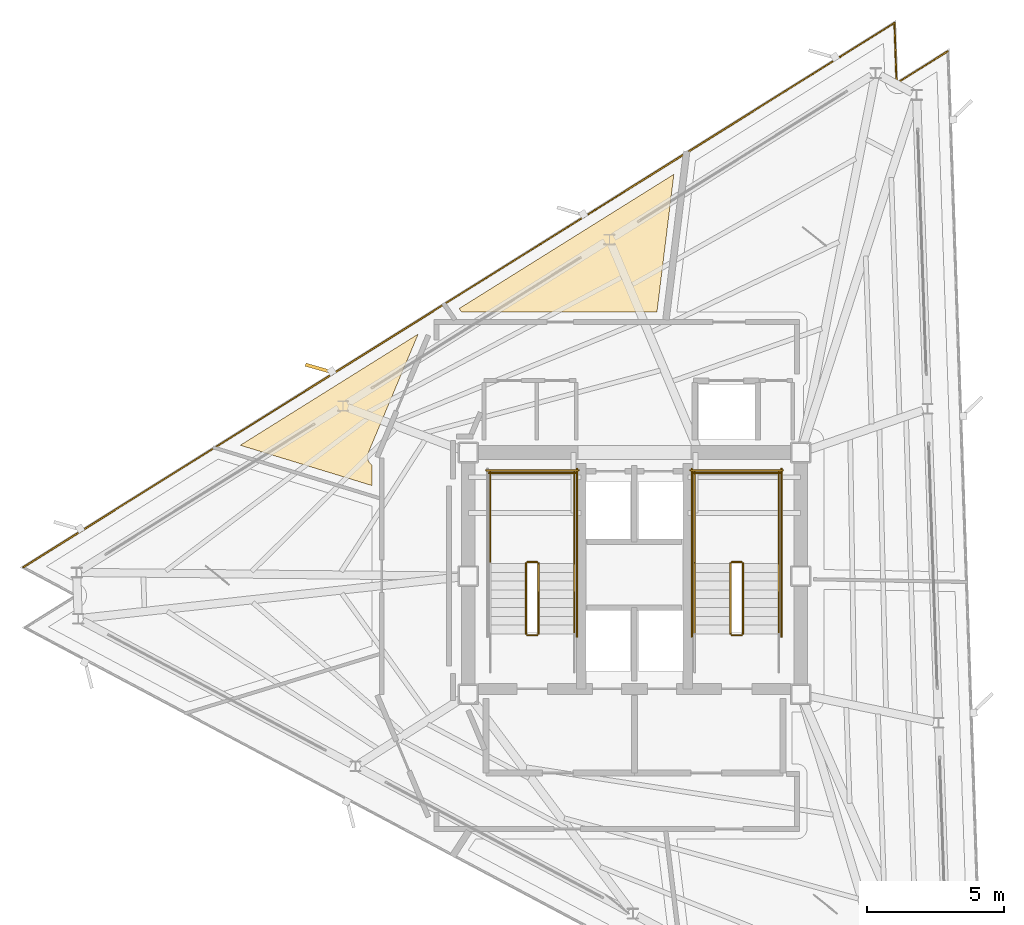
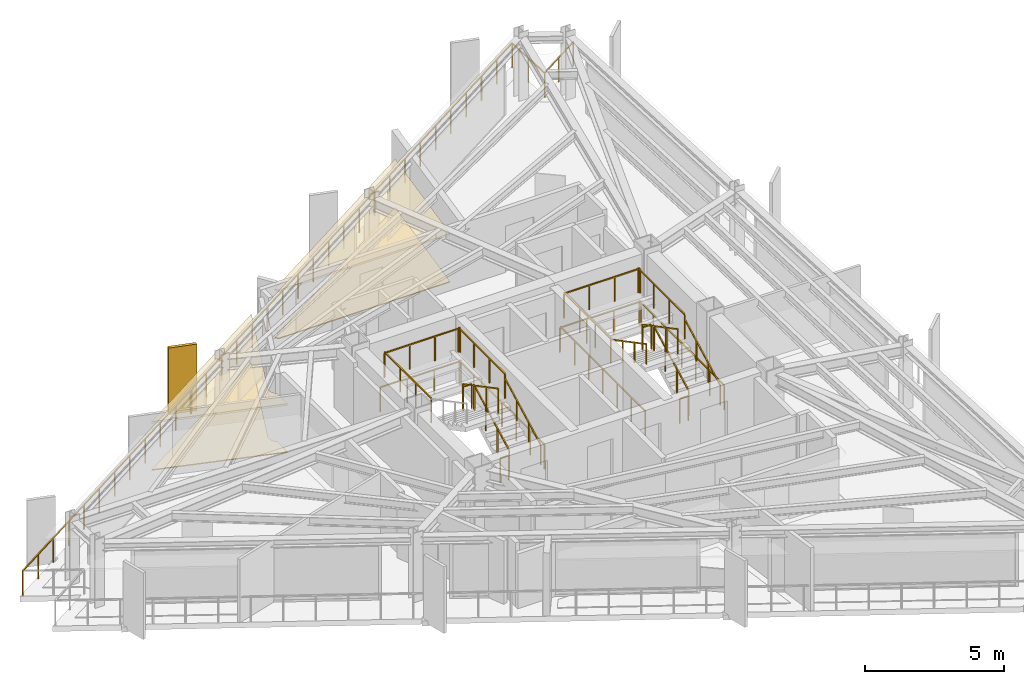
# One storey, part 12 of 13: 23 railings, 4 coverings, 1 shading device.
"""IFC4 building model written with IfcOpenShell, lengths in metres."""

from ifc_helpers import new_model, si_unit, direction, frame, origin, origin_2d, place, context, subcontext, project, spatial, polyline, rectangle, outline, extrude, material, layer, layer_set, type_object, element, save


model = new_model("IFC4")

# Units and contexts
model_context = context("Model", 3, precision=1e-05, world=origin(), true_north=direction((0.0, 1.0)))
body_context = subcontext(model_context, "Body", "Model", "MODEL_VIEW")
ifc_project = project(units=[si_unit("LENGTHUNIT", "METRE"), si_unit("AREAUNIT", "SQUARE_METRE"), si_unit("VOLUMEUNIT", "CUBIC_METRE"), si_unit("PLANEANGLEUNIT", "RADIAN"), si_unit("MASSUNIT", "GRAM", prefix="KILO")], contexts=[model_context])

# Site, building, storey
site_placement = place(None, origin())
site = spatial("IfcSite", under=ifc_project, at=site_placement, CompositionType="ELEMENT")
building_placement = place(site_placement, origin())
building = spatial("IfcBuilding", under=site, at=building_placement, Name="Rocaltana Carrier Exchange", CompositionType="ELEMENT")
storey_placement = place(building_placement, frame((0.0, 0.0, 208.800048828125)))
storey = spatial("IfcBuildingStorey", under=building, at=storey_placement, Name="L66", CompositionType="ELEMENT", Elevation=208.800048828125)

# Coverings
ifc_material_1 = material(Name="Honed Bogota Sandstone Tile", Category="masonry")
ifc_layer_1 = layer(ifc_material_1, 0.0400390625)
ifc_layer_set_1 = layer_set([ifc_layer_1], Name="Honed Bogota Sandstone Tile")
covering_type_1 = type_object("IfcCoveringType", Name="Honed Stone Lobby Flooring 40", PredefinedType="FLOORING", material=ifc_layer_set_1)
covering_1_placement = place(storey_placement, origin())
element("IfcCovering", 1, at=covering_1_placement, inside=storey, type_object=covering_type_1, Name="L66 Peering Conference Room Finish Floor", PredefinedType="FLOORING", context=body_context, shape_type="SweptSolid", body=[
    extrude(outline(polyline([(1.43310546875, 14.626220703125), (0.8173828125, 9.610107421875), (-6.28955078125, 9.610107421875), (-6.38232421875, 9.74267578125), (1.43310546875, 14.626220703125)])), origin(), (0.0, 0.0, 1.0), 0.0400390625),
])
covering_2_placement = place(storey_placement, origin())
element("IfcCovering", 2, at=covering_2_placement, inside=storey, type_object=covering_type_1, Name="L66 Carrier Peering Suite Finish Floor", PredefinedType="FLOORING", context=body_context, shape_type="SweptSolid", body=[
    extrude(outline(polyline([(-9.56005859375, 4.052001953125), (-9.56005859375, 3.29931640625), (-14.35009765625, 4.763916015625), (-7.874267578125, 8.810302734375), (-9.69091796875, 4.489990234375), (-9.69580078125, 4.47705078125), (-9.698486328125, 4.4697265625), (-9.706787109375, 4.443603515625), (-9.70849609375, 4.435791015625), (-9.714111328125, 4.408935546875), (-9.71533203125, 4.401123046875), (-9.71826171875, 4.373779296875), (-9.718505859375, 4.365966796875), (-9.71875, 4.33837890625), (-9.718505859375, 4.330810546875), (-9.7158203125, 4.30322265625), (-9.714599609375, 4.295654296875), (-9.70947265625, 4.2685546875), (-9.70751953125, 4.260986328125), (-9.69970703125, 4.234619140625), (-9.697265625, 4.227294921875), (-9.686767578125, 4.201904296875), (-9.68359375, 4.194580078125), (-9.670654296875, 4.17041015625), (-9.666748046875, 4.16357421875), (-9.651611328125, 4.140625), (-9.64697265625, 4.134521484375), (-9.629638671875, 4.113037109375), (-9.624267578125, 4.107177734375), (-9.60498046875, 4.087646484375), (-9.59912109375, 4.082275390625), (-9.578125, 4.064697265625), (-9.57177734375, 4.06005859375), (-9.56005859375, 4.052001953125)])), origin(), (0.0, 0.0, 1.0), 0.0400390625),
])
ifc_material_2 = material(Name="Anodised Aluminium 6063-T6", Category="aluminium")
ifc_layer_2 = layer(ifc_material_2, 0.0849609375)
ifc_layer_set_2 = layer_set([ifc_layer_2], Name="Anodised Aluminium 6063-T6")
covering_type_2 = type_object("IfcCoveringType", Name="Linear Baffle Acoustic Ceiling 85", PredefinedType="CEILING", material=ifc_layer_set_2)
covering_3_placement = place(storey_placement, frame((0.0, 0.0, 2.06298828125)))
element("IfcCovering", 3, at=covering_3_placement, inside=storey, type_object=covering_type_2, Name="L66 Peering Conference Room Acoustic Ceiling", PredefinedType="CEILING", context=body_context, shape_type="SweptSolid", body=[
    extrude(outline(polyline([(1.43310546875, 14.626220703125), (0.8173828125, 9.610107421875), (-6.28955078125, 9.610107421875), (-6.38232421875, 9.74267578125), (1.43310546875, 14.626220703125)])), origin(), (0.0, 0.0, 1.0), 0.0849609375),
])
covering_4_placement = place(storey_placement, frame((0.0, 0.0, 2.06298828125)))
element("IfcCovering", 4, at=covering_4_placement, inside=storey, type_object=covering_type_2, Name="L66 Carrier Peering Suite Acoustic Ceiling", PredefinedType="CEILING", context=body_context, shape_type="SweptSolid", body=[
    extrude(outline(polyline([(-9.56005859375, 4.052001953125), (-9.56005859375, 3.29931640625), (-14.35009765625, 4.763916015625), (-7.874267578125, 8.810302734375), (-9.69091796875, 4.489990234375), (-9.69580078125, 4.47705078125), (-9.698486328125, 4.4697265625), (-9.706787109375, 4.443603515625), (-9.70849609375, 4.435791015625), (-9.714111328125, 4.408935546875), (-9.71533203125, 4.401123046875), (-9.71826171875, 4.373779296875), (-9.718505859375, 4.365966796875), (-9.71875, 4.33837890625), (-9.718505859375, 4.330810546875), (-9.7158203125, 4.30322265625), (-9.714599609375, 4.295654296875), (-9.70947265625, 4.2685546875), (-9.70751953125, 4.260986328125), (-9.69970703125, 4.234619140625), (-9.697265625, 4.227294921875), (-9.686767578125, 4.201904296875), (-9.68359375, 4.194580078125), (-9.670654296875, 4.17041015625), (-9.666748046875, 4.16357421875), (-9.651611328125, 4.140625), (-9.64697265625, 4.134521484375), (-9.629638671875, 4.113037109375), (-9.624267578125, 4.107177734375), (-9.60498046875, 4.087646484375), (-9.59912109375, 4.082275390625), (-9.578125, 4.064697265625), (-9.57177734375, 4.06005859375), (-9.56005859375, 4.052001953125)])), origin(), (0.0, 0.0, 1.0), 0.0849609375),
])

# Railings
ifc_material_3 = material(Name="Brushed Architectural Stainless Tube", Category="steel")
ifc_layer_3 = layer(ifc_material_3, 0.048095703125)
ifc_layer_set_3 = layer_set([ifc_layer_3], Name="Brushed Architectural Stainless Tube")
railing_type_1 = type_object("IfcRailingType", Name="Stair Wall Handrail 920", PredefinedType="HANDRAIL", material=ifc_layer_set_3)
for number, where, name in (
    (5, (-2.18994140625, -2.10009765625, 0.1689453125), "L66 ST-1 stair handrail 1"),
    (6, (5.25, -2.10009765625, 0.1689453125), "L66 ST-2 stair handrail 1"),
):
    element("IfcRailing", number, at=place(storey_placement, frame(where)), inside=storey, type_object=railing_type_1, Name=name, PredefinedType="HANDRAIL", context=body_context, shape_type="SweptSolid", body=[
        extrude(rectangle(XDim=0.048095703125, YDim=0.048095703125, at=origin_2d()), frame((0.0, 0.0, 0.8759765625), z_axis=(0.0, 0.884394423565, 0.466740295633), x_axis=(-1.0, 0.0, 0.0)), (0.0, 0.0, 1.0), 2.894775390625),
        extrude(rectangle(XDim=0.0419921875, YDim=0.0419921875, at=origin_2d()), origin(), (0.0, 0.0, 1.0), 0.851806640625),
        extrude(rectangle(XDim=0.0419921875, YDim=0.0419921875, at=origin_2d()), frame((0.0, 0.853271484375, 0.450439453125)), (0.0, 0.0, 1.0), 0.851806640625),
        extrude(rectangle(XDim=0.0419921875, YDim=0.0419921875, at=origin_2d()), frame((0.0, 1.706787109375, 0.900634765625)), (0.0, 0.0, 1.0), 0.851806640625),
        extrude(rectangle(XDim=0.0419921875, YDim=0.0419921875, at=origin_2d()), frame((0.0, 2.56005859375, 1.35107421875)), (0.0, 0.0, 1.0), 0.851806640625),
    ])
railing_1_placement = place(storey_placement, frame((2.18994140625, 0.4599609375, 1.688720703125)))
element("IfcRailing", 7, at=railing_1_placement, inside=storey, type_object=railing_type_1, Name="L66 ST-2 stair handrail 2", PredefinedType="HANDRAIL", context=body_context, shape_type="SweptSolid", body=[
    extrude(rectangle(XDim=0.048095703125, YDim=0.048095703125, at=origin_2d()), frame((0.0, 0.0, 0.8759765625), z_axis=(0.0, -0.884359608194, 0.46680625895), x_axis=(1.0, 0.0, 0.0)), (0.0, 0.0, 1.0), 2.894775390625),
    extrude(rectangle(XDim=0.0419921875, YDim=0.0419921875, at=origin_2d()), origin(), (0.0, 0.0, 1.0), 0.851806640625),
    extrude(rectangle(XDim=0.0419921875, YDim=0.0419921875, at=origin_2d()), frame((0.0, -0.853271484375, 0.450439453125)), (0.0, 0.0, 1.0), 0.851806640625),
    extrude(rectangle(XDim=0.0419921875, YDim=0.0419921875, at=origin_2d()), frame((0.0, -1.706787109375, 0.90087890625)), (0.0, 0.0, 1.0), 0.851806640625),
    extrude(rectangle(XDim=0.0419921875, YDim=0.0419921875, at=origin_2d()), frame((0.0, -2.56005859375, 1.351318359375)), (0.0, 0.0, 1.0), 0.851806640625),
])
ifc_material_4 = material(Name="Powder-Coated Aluminium 6063-T6", Category="aluminium")
ifc_layer_4 = layer(ifc_material_4, 0.048095703125)
ifc_layer_set_4 = layer_set([ifc_layer_4], Name="Powder-Coated Aluminium 6063-T6")
railing_type_2 = type_object("IfcRailingType", Name="Stair Well Guardrail 1100", PredefinedType="GUARDRAIL", material=ifc_layer_set_4)
railing_2_placement = place(storey_placement, frame((-3.489990234375, -2.10009765625, 0.1689453125)))
element("IfcRailing", 8, at=railing_2_placement, inside=storey, type_object=railing_type_2, Name="L66 ST-1 stair guard 1", PredefinedType="GUARDRAIL", context=body_context, shape_type="SweptSolid", body=[
    extrude(rectangle(XDim=0.048095703125, YDim=0.048095703125, at=origin_2d()), frame((0.0, 0.0, 1.076171875), z_axis=(0.0, 0.884394423565, 0.466740295633), x_axis=(-1.0, 0.0, 0.0)), (0.0, 0.0, 1.0), 2.894775390625),
    extrude(rectangle(XDim=0.0419921875, YDim=0.0419921875, at=origin_2d()), origin(), (0.0, 0.0, 1.0), 1.052001953125),
    extrude(rectangle(XDim=0.0419921875, YDim=0.0419921875, at=origin_2d()), frame((0.0, 0.853271484375, 0.450439453125)), (0.0, 0.0, 1.0), 1.052001953125),
    extrude(rectangle(XDim=0.0419921875, YDim=0.0419921875, at=origin_2d()), frame((0.0, 1.706787109375, 0.900634765625)), (0.0, 0.0, 1.0), 1.052001953125),
    extrude(rectangle(XDim=0.0419921875, YDim=0.0419921875, at=origin_2d()), frame((0.0, 2.56005859375, 1.35107421875)), (0.0, 0.0, 1.0), 1.052001953125),
])
railing_3_placement = place(storey_placement, frame((-3.5400390625, 0.510009765625, 1.52001953125)))
element("IfcRailing", 9, at=railing_3_placement, inside=storey, type_object=railing_type_2, Name="L66 ST-1 stair guard 2", PredefinedType="GUARDRAIL", context=body_context, shape_type="SweptSolid", body=[
    extrude(rectangle(XDim=0.048095703125, YDim=0.048095703125, at=origin_2d()), frame((0.0, 0.0, 1.076171875), z_axis=(-1.0, 0.0, 0.0), x_axis=(0.0, -1.0, 0.0)), (0.0, 0.0, 1.0), 0.35986328125),
    extrude(rectangle(XDim=0.0419921875, YDim=0.0419921875, at=origin_2d()), origin(), (0.0, 0.0, 1.0), 1.052001953125),
    extrude(rectangle(XDim=0.0419921875, YDim=0.0419921875, at=origin_2d()), frame((-0.35986328125, 0.0, 0.0)), (0.0, 0.0, 1.0), 1.052001953125),
])
for number, where, name in (
    (10, (-2.18994140625, 0.4599609375, 1.52001953125), "L66 ST-1 stair guard 3"),
    (11, (-5.25, 0.4599609375, 1.52001953125), "L66 ST-1 stair guard 4"),
):
    element("IfcRailing", number, at=place(storey_placement, frame(where)), inside=storey, type_object=railing_type_2, Name=name, PredefinedType="GUARDRAIL", context=body_context, shape_type="SweptSolid", body=[
        extrude(rectangle(XDim=0.048095703125, YDim=0.048095703125, at=origin_2d()), frame((0.0, 0.0, 1.076171875), z_axis=(0.0, 1.0, 0.0), x_axis=(-1.0, 0.0, 0.0)), (0.0, 0.0, 1.0), 3.340087890625),
        extrude(rectangle(XDim=0.0419921875, YDim=0.0419921875, at=origin_2d()), origin(), (0.0, 0.0, 1.0), 1.052001953125),
        extrude(rectangle(XDim=0.0419921875, YDim=0.0419921875, at=origin_2d()), frame((0.0, 1.11328125, 0.0)), (0.0, 0.0, 1.0), 1.052001953125),
        extrude(rectangle(XDim=0.0419921875, YDim=0.0419921875, at=origin_2d()), frame((0.0, 2.226806640625, 0.0)), (0.0, 0.0, 1.0), 1.052001953125),
        extrude(rectangle(XDim=0.0419921875, YDim=0.0419921875, at=origin_2d()), frame((0.0, 3.340087890625, 0.0)), (0.0, 0.0, 1.0), 1.052001953125),
    ])
railing_4_placement = place(storey_placement, frame((-2.139892578125, 3.75, 1.52001953125)))
element("IfcRailing", 12, at=railing_4_placement, inside=storey, type_object=railing_type_2, Name="L66 ST-1 stair guard 5", PredefinedType="GUARDRAIL", context=body_context, shape_type="SweptSolid", body=[
    extrude(rectangle(XDim=0.048095703125, YDim=0.048095703125, at=origin_2d()), frame((0.0, 0.0, 1.076171875), z_axis=(-1.0, 0.0, 0.0), x_axis=(0.0, -1.0, 0.0)), (0.0, 0.0, 1.0), 3.16015625),
    extrude(rectangle(XDim=0.0419921875, YDim=0.0419921875, at=origin_2d()), origin(), (0.0, 0.0, 1.0), 1.052001953125),
    extrude(rectangle(XDim=0.0419921875, YDim=0.0419921875, at=origin_2d()), frame((-1.053466796875, 0.0, 0.0)), (0.0, 0.0, 1.0), 1.052001953125),
    extrude(rectangle(XDim=0.0419921875, YDim=0.0419921875, at=origin_2d()), frame((-2.106689453125, 0.0, 0.0)), (0.0, 0.0, 1.0), 1.052001953125),
    extrude(rectangle(XDim=0.0419921875, YDim=0.0419921875, at=origin_2d()), frame((-3.16015625, 0.0, 0.0)), (0.0, 0.0, 1.0), 1.052001953125),
])
railing_5_placement = place(storey_placement, frame((-3.949951171875, 0.4599609375, 1.688720703125)))
element("IfcRailing", 13, at=railing_5_placement, inside=storey, type_object=railing_type_2, Name="L66 ST-1 stair guard 6", PredefinedType="GUARDRAIL", context=body_context, shape_type="SweptSolid", body=[
    extrude(rectangle(XDim=0.048095703125, YDim=0.048095703125, at=origin_2d()), frame((0.0, 0.0, 1.076171875), z_axis=(0.0, -0.884359608194, 0.46680625895), x_axis=(1.0, 0.0, 0.0)), (0.0, 0.0, 1.0), 2.894775390625),
    extrude(rectangle(XDim=0.0419921875, YDim=0.0419921875, at=origin_2d()), origin(), (0.0, 0.0, 1.0), 1.052001953125),
    extrude(rectangle(XDim=0.0419921875, YDim=0.0419921875, at=origin_2d()), frame((0.0, -0.853271484375, 0.450439453125)), (0.0, 0.0, 1.0), 1.052001953125),
    extrude(rectangle(XDim=0.0419921875, YDim=0.0419921875, at=origin_2d()), frame((0.0, -1.706787109375, 0.90087890625)), (0.0, 0.0, 1.0), 1.052001953125),
    extrude(rectangle(XDim=0.0419921875, YDim=0.0419921875, at=origin_2d()), frame((0.0, -2.56005859375, 1.351318359375)), (0.0, 0.0, 1.0), 1.052001953125),
])
railing_6_placement = place(storey_placement, frame((-3.5400390625, -2.14990234375, 0.0)))
element("IfcRailing", 14, at=railing_6_placement, inside=storey, type_object=railing_type_2, Name="L66 ST-1 stair guard 7", PredefinedType="GUARDRAIL", context=body_context, shape_type="SweptSolid", body=[
    extrude(rectangle(XDim=0.048095703125, YDim=0.048095703125, at=origin_2d()), frame((0.0, 0.0, 1.076171875), z_axis=(-1.0, 0.0, 0.0), x_axis=(0.0, -1.0, 0.0)), (0.0, 0.0, 1.0), 0.35986328125),
    extrude(rectangle(XDim=0.0419921875, YDim=0.0419921875, at=origin_2d()), origin(), (0.0, 0.0, 1.0), 1.052001953125),
    extrude(rectangle(XDim=0.0419921875, YDim=0.0419921875, at=origin_2d()), frame((-0.35986328125, 0.0, 0.0)), (0.0, 0.0, 1.0), 1.052001953125),
])
railing_7_placement = place(storey_placement, frame((-2.090087890625, -2.199951171875, 0.0)))
element("IfcRailing", 15, at=railing_7_placement, inside=storey, type_object=railing_type_2, Name="L66 ST-1 stair guard 10", PredefinedType="GUARDRAIL", context=body_context, shape_type="SweptSolid", body=[
    extrude(rectangle(XDim=0.048095703125, YDim=0.048095703125, at=origin_2d()), frame((0.0, 0.0, 1.076171875), z_axis=(0.0, 1.0, 0.0), x_axis=(-1.0, 0.0, 0.0)), (0.0, 0.0, 1.0), 6.099853515625),
    extrude(rectangle(XDim=0.0419921875, YDim=0.0419921875, at=origin_2d()), origin(), (0.0, 0.0, 1.0), 1.052001953125),
    extrude(rectangle(XDim=0.0419921875, YDim=0.0419921875, at=origin_2d()), frame((0.0, 1.0166015625, 0.0)), (0.0, 0.0, 1.0), 1.052001953125),
    extrude(rectangle(XDim=0.0419921875, YDim=0.0419921875, at=origin_2d()), frame((0.0, 2.033203125, 0.0)), (0.0, 0.0, 1.0), 1.052001953125),
    extrude(rectangle(XDim=0.0419921875, YDim=0.0419921875, at=origin_2d()), frame((0.0, 3.0498046875, 0.0)), (0.0, 0.0, 1.0), 1.052001953125),
    extrude(rectangle(XDim=0.0419921875, YDim=0.0419921875, at=origin_2d()), frame((0.0, 4.066650390625, 0.0)), (0.0, 0.0, 1.0), 1.052001953125),
    extrude(rectangle(XDim=0.0419921875, YDim=0.0419921875, at=origin_2d()), frame((0.0, 5.083251953125, 0.0)), (0.0, 0.0, 1.0), 1.052001953125),
    extrude(rectangle(XDim=0.0419921875, YDim=0.0419921875, at=origin_2d()), frame((0.0, 6.099853515625, 0.0)), (0.0, 0.0, 1.0), 1.052001953125),
])
railing_8_placement = place(storey_placement, frame((-2.0400390625, 3.85009765625, 0.0)))
element("IfcRailing", 16, at=railing_8_placement, inside=storey, type_object=railing_type_2, Name="L66 ST-1 stair guard 12", PredefinedType="GUARDRAIL", context=body_context, shape_type="SweptSolid", body=[
    extrude(rectangle(XDim=0.048095703125, YDim=0.048095703125, at=origin_2d()), frame((0.0, 0.0, 1.076171875), z_axis=(-1.0, 0.0, 0.0), x_axis=(0.0, -1.0, 0.0)), (0.0, 0.0, 1.0), 3.35986328125),
    extrude(rectangle(XDim=0.0419921875, YDim=0.0419921875, at=origin_2d()), origin(), (0.0, 0.0, 1.0), 1.052001953125),
    extrude(rectangle(XDim=0.0419921875, YDim=0.0419921875, at=origin_2d()), frame((-1.119873046875, 0.0, 0.0)), (0.0, 0.0, 1.0), 1.052001953125),
    extrude(rectangle(XDim=0.0419921875, YDim=0.0419921875, at=origin_2d()), frame((-2.239990234375, 0.0, 0.0)), (0.0, 0.0, 1.0), 1.052001953125),
    extrude(rectangle(XDim=0.0419921875, YDim=0.0419921875, at=origin_2d()), frame((-3.35986328125, 0.0, 0.0)), (0.0, 0.0, 1.0), 1.052001953125),
])
railing_9_placement = place(storey_placement, frame((3.949951171875, -2.10009765625, 0.1689453125)))
element("IfcRailing", 17, at=railing_9_placement, inside=storey, type_object=railing_type_2, Name="L66 ST-2 stair guard 1", PredefinedType="GUARDRAIL", context=body_context, shape_type="SweptSolid", body=[
    extrude(rectangle(XDim=0.048095703125, YDim=0.048095703125, at=origin_2d()), frame((0.0, 0.0, 1.076171875), z_axis=(0.0, 0.884394423565, 0.466740295633), x_axis=(-1.0, 0.0, 0.0)), (0.0, 0.0, 1.0), 2.894775390625),
    extrude(rectangle(XDim=0.0419921875, YDim=0.0419921875, at=origin_2d()), origin(), (0.0, 0.0, 1.0), 1.052001953125),
    extrude(rectangle(XDim=0.0419921875, YDim=0.0419921875, at=origin_2d()), frame((0.0, 0.853271484375, 0.450439453125)), (0.0, 0.0, 1.0), 1.052001953125),
    extrude(rectangle(XDim=0.0419921875, YDim=0.0419921875, at=origin_2d()), frame((0.0, 1.706787109375, 0.900634765625)), (0.0, 0.0, 1.0), 1.052001953125),
    extrude(rectangle(XDim=0.0419921875, YDim=0.0419921875, at=origin_2d()), frame((0.0, 2.56005859375, 1.35107421875)), (0.0, 0.0, 1.0), 1.052001953125),
])
railing_10_placement = place(storey_placement, frame((3.89990234375, 0.510009765625, 1.52001953125)))
element("IfcRailing", 18, at=railing_10_placement, inside=storey, type_object=railing_type_2, Name="L66 ST-2 stair guard 2", PredefinedType="GUARDRAIL", context=body_context, shape_type="SweptSolid", body=[
    extrude(rectangle(XDim=0.048095703125, YDim=0.048095703125, at=origin_2d()), frame((0.0, 0.0, 1.076171875), z_axis=(-1.0, 0.0, 0.0), x_axis=(0.0, -1.0, 0.0)), (0.0, 0.0, 1.0), 0.35986328125),
    extrude(rectangle(XDim=0.0419921875, YDim=0.0419921875, at=origin_2d()), origin(), (0.0, 0.0, 1.0), 1.052001953125),
    extrude(rectangle(XDim=0.0419921875, YDim=0.0419921875, at=origin_2d()), frame((-0.35986328125, 0.0, 0.0)), (0.0, 0.0, 1.0), 1.052001953125),
])
for number, where, name in (
    (19, (5.25, 0.4599609375, 1.52001953125), "L66 ST-2 stair guard 3"),
    (20, (2.18994140625, 0.4599609375, 1.52001953125), "L66 ST-2 stair guard 4"),
):
    element("IfcRailing", number, at=place(storey_placement, frame(where)), inside=storey, type_object=railing_type_2, Name=name, PredefinedType="GUARDRAIL", context=body_context, shape_type="SweptSolid", body=[
        extrude(rectangle(XDim=0.048095703125, YDim=0.048095703125, at=origin_2d()), frame((0.0, 0.0, 1.076171875), z_axis=(0.0, 1.0, 0.0), x_axis=(-1.0, 0.0, 0.0)), (0.0, 0.0, 1.0), 3.340087890625),
        extrude(rectangle(XDim=0.0419921875, YDim=0.0419921875, at=origin_2d()), origin(), (0.0, 0.0, 1.0), 1.052001953125),
        extrude(rectangle(XDim=0.0419921875, YDim=0.0419921875, at=origin_2d()), frame((0.0, 1.11328125, 0.0)), (0.0, 0.0, 1.0), 1.052001953125),
        extrude(rectangle(XDim=0.0419921875, YDim=0.0419921875, at=origin_2d()), frame((0.0, 2.226806640625, 0.0)), (0.0, 0.0, 1.0), 1.052001953125),
        extrude(rectangle(XDim=0.0419921875, YDim=0.0419921875, at=origin_2d()), frame((0.0, 3.340087890625, 0.0)), (0.0, 0.0, 1.0), 1.052001953125),
    ])
railing_11_placement = place(storey_placement, frame((5.300048828125, 3.75, 1.52001953125)))
element("IfcRailing", 21, at=railing_11_placement, inside=storey, type_object=railing_type_2, Name="L66 ST-2 stair guard 5", PredefinedType="GUARDRAIL", context=body_context, shape_type="SweptSolid", body=[
    extrude(rectangle(XDim=0.048095703125, YDim=0.048095703125, at=origin_2d()), frame((0.0, 0.0, 1.076171875), z_axis=(-1.0, 0.0, 0.0), x_axis=(0.0, -1.0, 0.0)), (0.0, 0.0, 1.0), 3.16015625),
    extrude(rectangle(XDim=0.0419921875, YDim=0.0419921875, at=origin_2d()), origin(), (0.0, 0.0, 1.0), 1.052001953125),
    extrude(rectangle(XDim=0.0419921875, YDim=0.0419921875, at=origin_2d()), frame((-1.053466796875, 0.0, 0.0)), (0.0, 0.0, 1.0), 1.052001953125),
    extrude(rectangle(XDim=0.0419921875, YDim=0.0419921875, at=origin_2d()), frame((-2.106689453125, 0.0, 0.0)), (0.0, 0.0, 1.0), 1.052001953125),
    extrude(rectangle(XDim=0.0419921875, YDim=0.0419921875, at=origin_2d()), frame((-3.16015625, 0.0, 0.0)), (0.0, 0.0, 1.0), 1.052001953125),
])
railing_12_placement = place(storey_placement, frame((3.489990234375, 0.4599609375, 1.688720703125)))
element("IfcRailing", 22, at=railing_12_placement, inside=storey, type_object=railing_type_2, Name="L66 ST-2 stair guard 6", PredefinedType="GUARDRAIL", context=body_context, shape_type="SweptSolid", body=[
    extrude(rectangle(XDim=0.048095703125, YDim=0.048095703125, at=origin_2d()), frame((0.0, 0.0, 1.076171875), z_axis=(0.0, -0.884359608194, 0.46680625895), x_axis=(1.0, 0.0, 0.0)), (0.0, 0.0, 1.0), 2.894775390625),
    extrude(rectangle(XDim=0.0419921875, YDim=0.0419921875, at=origin_2d()), origin(), (0.0, 0.0, 1.0), 1.052001953125),
    extrude(rectangle(XDim=0.0419921875, YDim=0.0419921875, at=origin_2d()), frame((0.0, -0.853271484375, 0.450439453125)), (0.0, 0.0, 1.0), 1.052001953125),
    extrude(rectangle(XDim=0.0419921875, YDim=0.0419921875, at=origin_2d()), frame((0.0, -1.706787109375, 0.90087890625)), (0.0, 0.0, 1.0), 1.052001953125),
    extrude(rectangle(XDim=0.0419921875, YDim=0.0419921875, at=origin_2d()), frame((0.0, -2.56005859375, 1.351318359375)), (0.0, 0.0, 1.0), 1.052001953125),
])
railing_13_placement = place(storey_placement, frame((3.89990234375, -2.14990234375, 0.0)))
element("IfcRailing", 23, at=railing_13_placement, inside=storey, type_object=railing_type_2, Name="L66 ST-2 stair guard 7", PredefinedType="GUARDRAIL", context=body_context, shape_type="SweptSolid", body=[
    extrude(rectangle(XDim=0.048095703125, YDim=0.048095703125, at=origin_2d()), frame((0.0, 0.0, 1.076171875), z_axis=(-1.0, 0.0, 0.0), x_axis=(0.0, -1.0, 0.0)), (0.0, 0.0, 1.0), 0.35986328125),
    extrude(rectangle(XDim=0.0419921875, YDim=0.0419921875, at=origin_2d()), origin(), (0.0, 0.0, 1.0), 1.052001953125),
    extrude(rectangle(XDim=0.0419921875, YDim=0.0419921875, at=origin_2d()), frame((-0.35986328125, 0.0, 0.0)), (0.0, 0.0, 1.0), 1.052001953125),
])
for number, where, name in (
    (24, (5.35009765625, -2.199951171875, 0.0), "L66 ST-2 stair guard 10"),
    (25, (2.090087890625, -2.199951171875, 0.0), "L66 ST-2 stair guard 11"),
):
    element("IfcRailing", number, at=place(storey_placement, frame(where)), inside=storey, type_object=railing_type_2, Name=name, PredefinedType="GUARDRAIL", context=body_context, shape_type="SweptSolid", body=[
        extrude(rectangle(XDim=0.048095703125, YDim=0.048095703125, at=origin_2d()), frame((0.0, 0.0, 1.076171875), z_axis=(0.0, 1.0, 0.0), x_axis=(-1.0, 0.0, 0.0)), (0.0, 0.0, 1.0), 6.099853515625),
        extrude(rectangle(XDim=0.0419921875, YDim=0.0419921875, at=origin_2d()), origin(), (0.0, 0.0, 1.0), 1.052001953125),
        extrude(rectangle(XDim=0.0419921875, YDim=0.0419921875, at=origin_2d()), frame((0.0, 1.0166015625, 0.0)), (0.0, 0.0, 1.0), 1.052001953125),
        extrude(rectangle(XDim=0.0419921875, YDim=0.0419921875, at=origin_2d()), frame((0.0, 2.033203125, 0.0)), (0.0, 0.0, 1.0), 1.052001953125),
        extrude(rectangle(XDim=0.0419921875, YDim=0.0419921875, at=origin_2d()), frame((0.0, 3.0498046875, 0.0)), (0.0, 0.0, 1.0), 1.052001953125),
        extrude(rectangle(XDim=0.0419921875, YDim=0.0419921875, at=origin_2d()), frame((0.0, 4.066650390625, 0.0)), (0.0, 0.0, 1.0), 1.052001953125),
        extrude(rectangle(XDim=0.0419921875, YDim=0.0419921875, at=origin_2d()), frame((0.0, 5.083251953125, 0.0)), (0.0, 0.0, 1.0), 1.052001953125),
        extrude(rectangle(XDim=0.0419921875, YDim=0.0419921875, at=origin_2d()), frame((0.0, 6.099853515625, 0.0)), (0.0, 0.0, 1.0), 1.052001953125),
    ])
railing_14_placement = place(storey_placement, frame((5.39990234375, 3.85009765625, 0.0)))
element("IfcRailing", 26, at=railing_14_placement, inside=storey, type_object=railing_type_2, Name="L66 ST-2 stair guard 12", PredefinedType="GUARDRAIL", context=body_context, shape_type="SweptSolid", body=[
    extrude(rectangle(XDim=0.048095703125, YDim=0.048095703125, at=origin_2d()), frame((0.0, 0.0, 1.076171875), z_axis=(-1.0, 0.0, 0.0), x_axis=(0.0, -1.0, 0.0)), (0.0, 0.0, 1.0), 3.35986328125),
    extrude(rectangle(XDim=0.0419921875, YDim=0.0419921875, at=origin_2d()), origin(), (0.0, 0.0, 1.0), 1.052001953125),
    extrude(rectangle(XDim=0.0419921875, YDim=0.0419921875, at=origin_2d()), frame((-1.119873046875, 0.0, 0.0)), (0.0, 0.0, 1.0), 1.052001953125),
    extrude(rectangle(XDim=0.0419921875, YDim=0.0419921875, at=origin_2d()), frame((-2.239990234375, 0.0, 0.0)), (0.0, 0.0, 1.0), 1.052001953125),
    extrude(rectangle(XDim=0.0419921875, YDim=0.0419921875, at=origin_2d()), frame((-3.35986328125, 0.0, 0.0)), (0.0, 0.0, 1.0), 1.052001953125),
])

# Shading device
ifc_material_5 = material(Name="Honed Bogota Sandstone & Concrete C45/55", Category="masonry")
ifc_layer_5 = layer(ifc_material_5, 0.1201171875)
ifc_layer_set_5 = layer_set([ifc_layer_5], Name="Honed Bogota Sandstone & Concrete C45/55")
shading_device_type = type_object("IfcShadingDeviceType", Name="Upper Sandstone Shading Fin 1050x120", PredefinedType="USERDEFINED", material=ifc_layer_set_5)
shading_device_placement = place(storey_placement, frame((-11.470703125, 7.55419921875, -0.1201171875), z_axis=(0.0, 0.0, 1.0), x_axis=(-0.961261695938, 0.275637355817, 0.0)))
element("IfcShadingDevice", 27, at=shading_device_placement, inside=storey, type_object=shading_device_type, Name="L66 Sandstone Vertical Fin F2-03", ObjectType="FIN", PredefinedType="USERDEFINED", context=body_context, shape_type="SweptSolid", body=[
    extrude(rectangle(XDim=1.050048828125, YDim=0.1201171875, at=origin_2d()), origin(), (0.0, 0.0, 1.0), 2.91796875),
])

# Railing
ifc_material_6 = material(Name="Powder-Coated Aluminium 6063-T6", Category="aluminium")
ifc_layer_6 = layer(ifc_material_6, 0.06005859375)
ifc_layer_set_6 = layer_set([ifc_layer_6], Name="Powder-Coated Aluminium 6063-T6")
railing_type_3 = type_object("IfcRailingType", Name="Wind-Floor & Terrace Perimeter Guardrail 1100", PredefinedType="GUARDRAIL", material=ifc_layer_set_6)
railing_15_placement = place(storey_placement, frame((-22.248291015625, 0.32373046875, 0.0)))
element("IfcRailing", 28, at=railing_15_placement, inside=storey, type_object=railing_type_3, Name="L66 Perimeter Balcony Guardrail 2", PredefinedType="GUARDRAIL", context=body_context, shape_type="SweptSolid", body=[
    extrude(rectangle(XDim=0.048095703125, YDim=0.048095703125, at=origin_2d()), frame((0.0, 0.0, 1.076171875), z_axis=(0.848050386707, 0.529915598568, 0.0), x_axis=(-0.529915598568, 0.848050386707, 0.0)), (0.0, 0.0, 1.0), 37.39208984375),
    extrude(rectangle(XDim=0.048095703125, YDim=0.048095703125, at=origin_2d()), frame((31.71044921875, 19.814697265625, 1.076171875), z_axis=(0.034848337617, -0.999392612223, 0.0), x_axis=(0.999392612223, 0.034848337617, 0.0)), (0.0, 0.0, 1.0), 2.19970703125),
    extrude(rectangle(XDim=0.048095703125, YDim=0.048095703125, at=origin_2d()), frame((31.787109375, 17.6162109375, 1.076171875), z_axis=(0.848060642886, 0.52989918474, 0.0), x_axis=(-0.52989918474, 0.848060642886, 0.0)), (0.0, 0.0, 1.0), 2.199951171875),
    extrude(rectangle(XDim=0.0419921875, YDim=0.0419921875, at=origin_2d()), origin(), (0.0, 0.0, 1.0), 1.052001953125),
    extrude(rectangle(XDim=0.0419921875, YDim=0.0419921875, at=origin_2d()), frame((0.990966796875, 0.619140625, 0.0)), (0.0, 0.0, 1.0), 1.052001953125),
    extrude(rectangle(XDim=0.0419921875, YDim=0.0419921875, at=origin_2d()), frame((1.98193359375, 1.238525390625, 0.0)), (0.0, 0.0, 1.0), 1.052001953125),
    extrude(rectangle(XDim=0.0419921875, YDim=0.0419921875, at=origin_2d()), frame((2.972900390625, 1.857666015625, 0.0)), (0.0, 0.0, 1.0), 1.052001953125),
    extrude(rectangle(XDim=0.0419921875, YDim=0.0419921875, at=origin_2d()), frame((3.9638671875, 2.476806640625, 0.0)), (0.0, 0.0, 1.0), 1.052001953125),
    extrude(rectangle(XDim=0.0419921875, YDim=0.0419921875, at=origin_2d()), frame((4.954833984375, 3.095947265625, 0.0)), (0.0, 0.0, 1.0), 1.052001953125),
    extrude(rectangle(XDim=0.0419921875, YDim=0.0419921875, at=origin_2d()), frame((5.94580078125, 3.71533203125, 0.0)), (0.0, 0.0, 1.0), 1.052001953125),
    extrude(rectangle(XDim=0.0419921875, YDim=0.0419921875, at=origin_2d()), frame((6.936767578125, 4.33447265625, 0.0)), (0.0, 0.0, 1.0), 1.052001953125),
    extrude(rectangle(XDim=0.0419921875, YDim=0.0419921875, at=origin_2d()), frame((7.927734375, 4.95361328125, 0.0)), (0.0, 0.0, 1.0), 1.052001953125),
    extrude(rectangle(XDim=0.0419921875, YDim=0.0419921875, at=origin_2d()), frame((8.91845703125, 5.572998046875, 0.0)), (0.0, 0.0, 1.0), 1.052001953125),
    extrude(rectangle(XDim=0.0419921875, YDim=0.0419921875, at=origin_2d()), frame((9.909423828125, 6.192138671875, 0.0)), (0.0, 0.0, 1.0), 1.052001953125),
    extrude(rectangle(XDim=0.0419921875, YDim=0.0419921875, at=origin_2d()), frame((10.900390625, 6.811279296875, 0.0)), (0.0, 0.0, 1.0), 1.052001953125),
    extrude(rectangle(XDim=0.0419921875, YDim=0.0419921875, at=origin_2d()), frame((11.891357421875, 7.430419921875, 0.0)), (0.0, 0.0, 1.0), 1.052001953125),
    extrude(rectangle(XDim=0.0419921875, YDim=0.0419921875, at=origin_2d()), frame((12.88232421875, 8.0498046875, 0.0)), (0.0, 0.0, 1.0), 1.052001953125),
    extrude(rectangle(XDim=0.0419921875, YDim=0.0419921875, at=origin_2d()), frame((13.873291015625, 8.6689453125, 0.0)), (0.0, 0.0, 1.0), 1.052001953125),
    extrude(rectangle(XDim=0.0419921875, YDim=0.0419921875, at=origin_2d()), frame((14.8642578125, 9.2880859375, 0.0)), (0.0, 0.0, 1.0), 1.052001953125),
    extrude(rectangle(XDim=0.0419921875, YDim=0.0419921875, at=origin_2d()), frame((15.855224609375, 9.9072265625, 0.0)), (0.0, 0.0, 1.0), 1.052001953125),
    extrude(rectangle(XDim=0.0419921875, YDim=0.0419921875, at=origin_2d()), frame((16.84619140625, 10.526611328125, 0.0)), (0.0, 0.0, 1.0), 1.052001953125),
    extrude(rectangle(XDim=0.0419921875, YDim=0.0419921875, at=origin_2d()), frame((17.837158203125, 11.145751953125, 0.0)), (0.0, 0.0, 1.0), 1.052001953125),
    extrude(rectangle(XDim=0.0419921875, YDim=0.0419921875, at=origin_2d()), frame((18.828125, 11.764892578125, 0.0)), (0.0, 0.0, 1.0), 1.052001953125),
    extrude(rectangle(XDim=0.0419921875, YDim=0.0419921875, at=origin_2d()), frame((19.819091796875, 12.38427734375, 0.0)), (0.0, 0.0, 1.0), 1.052001953125),
    extrude(rectangle(XDim=0.0419921875, YDim=0.0419921875, at=origin_2d()), frame((20.81005859375, 13.00341796875, 0.0)), (0.0, 0.0, 1.0), 1.052001953125),
    extrude(rectangle(XDim=0.0419921875, YDim=0.0419921875, at=origin_2d()), frame((21.801025390625, 13.62255859375, 0.0)), (0.0, 0.0, 1.0), 1.052001953125),
    extrude(rectangle(XDim=0.0419921875, YDim=0.0419921875, at=origin_2d()), frame((22.7919921875, 14.24169921875, 0.0)), (0.0, 0.0, 1.0), 1.052001953125),
    extrude(rectangle(XDim=0.0419921875, YDim=0.0419921875, at=origin_2d()), frame((23.78271484375, 14.861083984375, 0.0)), (0.0, 0.0, 1.0), 1.052001953125),
    extrude(rectangle(XDim=0.0419921875, YDim=0.0419921875, at=origin_2d()), frame((24.773681640625, 15.480224609375, 0.0)), (0.0, 0.0, 1.0), 1.052001953125),
    extrude(rectangle(XDim=0.0419921875, YDim=0.0419921875, at=origin_2d()), frame((25.7646484375, 16.099365234375, 0.0)), (0.0, 0.0, 1.0), 1.052001953125),
    extrude(rectangle(XDim=0.0419921875, YDim=0.0419921875, at=origin_2d()), frame((26.755615234375, 16.71875, 0.0)), (0.0, 0.0, 1.0), 1.052001953125),
    extrude(rectangle(XDim=0.0419921875, YDim=0.0419921875, at=origin_2d()), frame((27.74658203125, 17.337890625, 0.0)), (0.0, 0.0, 1.0), 1.052001953125),
    extrude(rectangle(XDim=0.0419921875, YDim=0.0419921875, at=origin_2d()), frame((28.737548828125, 17.95703125, 0.0)), (0.0, 0.0, 1.0), 1.052001953125),
    extrude(rectangle(XDim=0.0419921875, YDim=0.0419921875, at=origin_2d()), frame((29.728515625, 18.576171875, 0.0)), (0.0, 0.0, 1.0), 1.052001953125),
    extrude(rectangle(XDim=0.0419921875, YDim=0.0419921875, at=origin_2d()), frame((30.719482421875, 19.195556640625, 0.0)), (0.0, 0.0, 1.0), 1.052001953125),
    extrude(rectangle(XDim=0.0419921875, YDim=0.0419921875, at=origin_2d()), frame((31.71044921875, 19.814697265625, 0.0)), (0.0, 0.0, 1.0), 1.052001953125),
    extrude(rectangle(XDim=0.0419921875, YDim=0.0419921875, at=origin_2d()), frame((31.748779296875, 18.71533203125, 0.0)), (0.0, 0.0, 1.0), 1.052001953125),
    extrude(rectangle(XDim=0.0419921875, YDim=0.0419921875, at=origin_2d()), frame((31.787109375, 17.6162109375, 0.0)), (0.0, 0.0, 1.0), 1.052001953125),
    extrude(rectangle(XDim=0.0419921875, YDim=0.0419921875, at=origin_2d()), frame((32.719970703125, 18.19921875, 0.0)), (0.0, 0.0, 1.0), 1.052001953125),
    extrude(rectangle(XDim=0.0419921875, YDim=0.0419921875, at=origin_2d()), frame((33.65283203125, 18.781982421875, 0.0)), (0.0, 0.0, 1.0), 1.052001953125),
])

save(model, "model.ifc")
